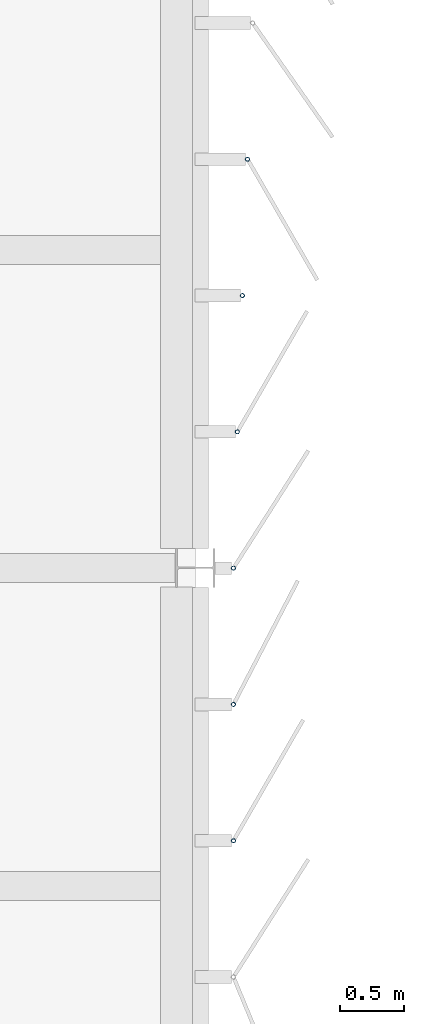
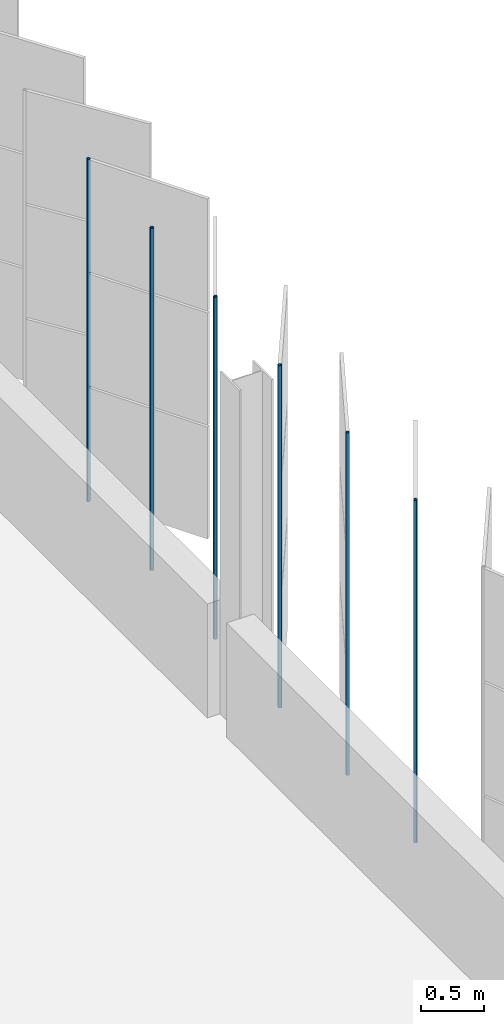
# One storey, part 133 of 214: 6 discrete accessories.
"""IFC4 building model written with IfcOpenShell, lengths in metres."""

from ifc_helpers import new_model, si_unit, direction, frame, origin, origin_2d, place, context, subcontext, project, spatial, hollow_circle, extrude, material, material_profile, profile_set, type_object, element, save


model = new_model("IFC4")

# Units and contexts
model_context = context("Model", 3, precision=1e-05, world=origin(), true_north=direction((0.0, 1.0)))
body_context = subcontext(model_context, "Body", "Model", "MODEL_VIEW")
ifc_project = project(units=[si_unit("LENGTHUNIT", "METRE"), si_unit("AREAUNIT", "SQUARE_METRE"), si_unit("VOLUMEUNIT", "CUBIC_METRE"), si_unit("PLANEANGLEUNIT", "RADIAN"), si_unit("MASSUNIT", "GRAM", prefix="KILO")], contexts=[model_context])

# Site, building, storey
site_placement = place(None, origin())
site = spatial("IfcSite", under=ifc_project, at=site_placement, CompositionType="ELEMENT")
building_placement = place(site_placement, origin())
building = spatial("IfcBuilding", under=site, at=building_placement, Name="Parallax Yard Mobility Hub", CompositionType="ELEMENT")
storey_placement = place(building_placement, frame((0.0, 0.0, 3.300048828125)))
storey = spatial("IfcBuildingStorey", under=building, at=storey_placement, Name="L01", CompositionType="ELEMENT", Elevation=3.300048828125)

# Discrete accessories
ifc_material = material(Name="Steel ASTM A500 Gr C, hot-dip galvanised", Category="steel")
ifc_material_profile = material_profile(ifc_material, hollow_circle(Radius=0.016845703125, WallThickness=0.003173828125, at=origin_2d()), Name="CHS 33.7x3.2")
ifc_profile_set = profile_set([ifc_material_profile], Name="Steel ASTM A500 Gr C, hot-dip galvanised")
discrete_accessory_type = type_object("IfcDiscreteAccessoryType", Name="Hinge post CHS 33.7x3.2", PredefinedType="BRACKET", material=ifc_profile_set)
for number, where, z_axis, x_axis, name in (
    (1, (225.300048828125, 72.854736328125, 0.0), (0.0, 0.0, 1.0), (1.0, 0.0, 0.0), "Hinge post bay 38.6 level L01"),
    (2, (225.300048828125, 73.926513671875, 0.0), (0.0, 0.0, 1.0), (1.0, 0.0, 0.0), "Hinge post bay 38.7 level L01"),
    (3, (225.300048828125, 74.998291015625, 0.0), (0.0, 0.0, 1.0), (1.0, 0.0, 0.0), "Hinge post bay 39.1 level L01"),
    (4, (225.330810546875, 76.06982421875, 0.0), (0.0, 0.0, 1.0), (1.0, 0.0, 0.0), "Hinge post bay 39.2 level L01"),
    (5, (225.370849609375, 77.1416015625, 0.0), (0.0, 0.0, 1.0), (1.0, 0.0, 0.0), "Hinge post bay 39.3 level L01"),
    (6, (225.410888671875, 78.21337890625, 0.0), (0.0, 0.0, 1.0), (1.0, 0.0, 0.0), "Hinge post bay 39.4 level L01"),
):
    element("IfcDiscreteAccessory", number, at=place(storey_placement, frame(where, z_axis=z_axis, x_axis=x_axis)), inside=storey, type_object=discrete_accessory_type, Name=name, PredefinedType="BRACKET", context=body_context, shape_type="SweptSolid", body=[
        extrude(hollow_circle(Radius=0.016845703125, WallThickness=0.003173828125, at=origin_2d()), origin(), (0.0, 0.0, 1.0), 3.300048828125),
    ])

save(model, "model.ifc")
